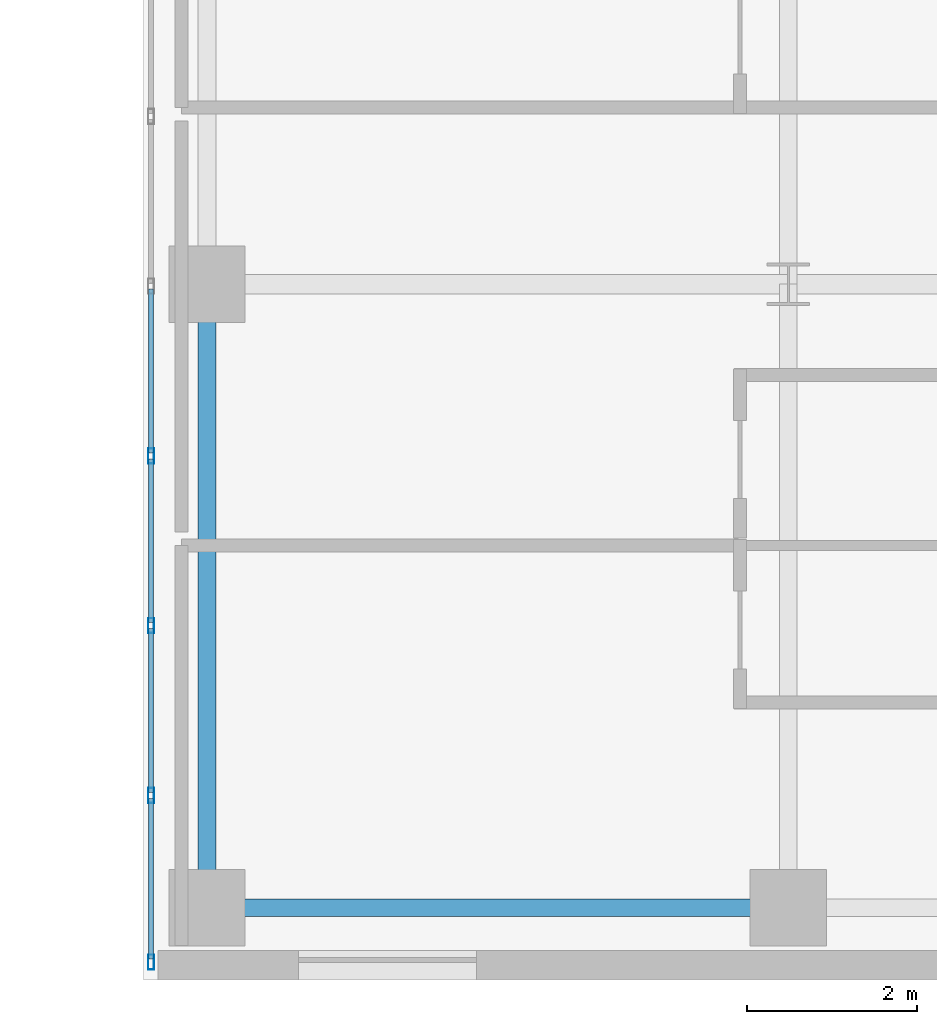
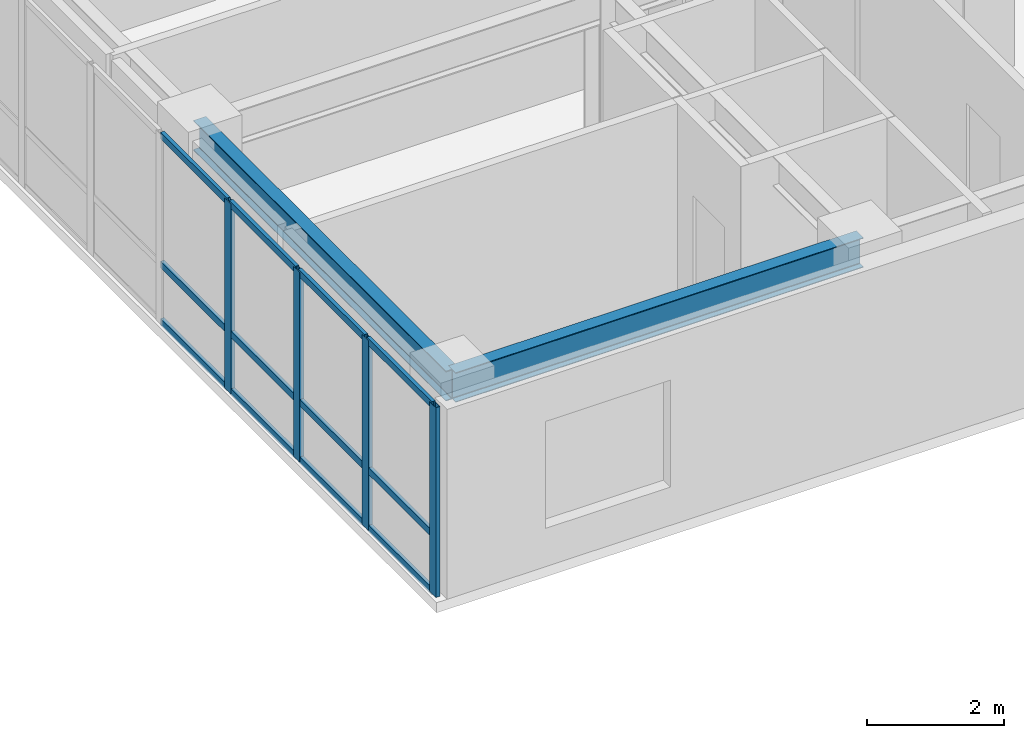
# One storey, part 5 of 16: 16 members, 2 beams, 1 element without a shape of its own.
"""IFC4 building model written with IfcOpenShell, lengths in metres."""

import ifcopenshell
import ifcopenshell.guid

model = None  # the IFC model being written
_history = None  # IfcOwnerHistory: only IFC2X3 demands one
_inside = {}  # id of a spatial element -> (the spatial element, [elements in it])
_under = {}  # id of a project, library or spatial element -> (it, [spatial elements below it])
_declared = {}  # id of a project -> (the project, [libraries it declares])
_typed = {}  # id of a type object -> (the type object, [elements of that type])
_made_of = {}  # id of a material, layer set ... -> (it, [elements and type objects made of it])


def new_model(schema):
    """Start an empty IFC model of exactly this schema.

    Asked for "IFC4X3", IfcOpenShell would pick the latest addendum, in which some entities
    have other attributes; the version numbers below select the first issue.
    IFC2X3 requires an IfcOwnerHistory on every rooted entity: one is made here for all.
    """
    global model, _history
    if schema == "IFC4X3":
        model = ifcopenshell.file(schema_version=(4, 3, 0, 0))
    else:
        model = ifcopenshell.file(schema=schema)
    _inside.clear()
    _under.clear()
    _declared.clear()
    _typed.clear()
    _made_of.clear()
    _history = None
    if model.schema == "IFC2X3":
        org = make("IfcOrganization", Name="unknown")
        user = make(
            "IfcPersonAndOrganization",
            ThePerson=make("IfcPerson", FamilyName="unknown"),
            TheOrganization=org,
        )
        app = make(
            "IfcApplication",
            ApplicationDeveloper=org,
            Version="unknown",
            ApplicationFullName="unknown",
            ApplicationIdentifier="unknown",
        )
        _history = make(
            "IfcOwnerHistory",
            OwningUser=user,
            OwningApplication=app,
            ChangeAction="ADDED",
            CreationDate=0,
        )
    return model


def make(cls, **values):
    """One entity of the class cls with the attributes given. An attribute that is None is left unset."""
    return model.create_entity(
        cls, **{name: value for name, value in values.items() if value is not None}
    )


def rooted(cls, **values):
    """An entity with a GlobalId (a new one), such as an element, a storey or a relation."""
    return make(cls, GlobalId=ifcopenshell.guid.new(), OwnerHistory=_history, **values)


def si_unit(unit_type, name, prefix=None):
    """IfcSIUnit, for example si_unit("LENGTHUNIT", "METRE", prefix="MILLI")."""
    return make("IfcSIUnit", UnitType=unit_type, Prefix=prefix, Name=name)


def assignment(units):
    """IfcUnitAssignment: the units of a project."""
    return None if units is None else make("IfcUnitAssignment", Units=units)


def point(xyz):
    """IfcCartesianPoint."""
    return None if xyz is None else make("IfcCartesianPoint", Coordinates=xyz)


def direction(xyz):
    """IfcDirection."""
    return None if xyz is None else make("IfcDirection", DirectionRatios=xyz)


def frame(location, z_axis=None, x_axis=None):
    """IfcAxis2Placement3D, a coordinate frame: its origin and axes. An axis left out is left unset."""
    return make(
        "IfcAxis2Placement3D",
        Location=point(location),
        Axis=direction(z_axis),
        RefDirection=direction(x_axis),
    )


def frame_2d(location, x_axis=None):
    """IfcAxis2Placement2D, a coordinate frame in the plane: its origin and x axis."""
    return make(
        "IfcAxis2Placement2D", Location=point(location), RefDirection=direction(x_axis)
    )


def origin():
    """The frame at (0, 0, 0) with its axes left unset."""
    return frame((0.0, 0.0, 0.0))


def origin_2d():
    """The frame at (0, 0) in the plane with its x axis left unset."""
    return frame_2d((0.0, 0.0))


def place(relative_to, where):
    """IfcLocalPlacement: puts the frame where relative to a parent placement (None: the world)."""
    return make(
        "IfcLocalPlacement", PlacementRelTo=relative_to, RelativePlacement=where
    )


def context(
    kind, dimensions, precision=None, world=None, true_north=None, identifier=None
):
    """IfcGeometricRepresentationContext, for example the 3D "Model" context."""
    return make(
        "IfcGeometricRepresentationContext",
        ContextIdentifier=identifier,
        ContextType=kind,
        CoordinateSpaceDimension=dimensions,
        Precision=precision,
        WorldCoordinateSystem=world,
        TrueNorth=true_north,
    )


def subcontext(parent, identifier, kind, view, scale=None):
    """IfcGeometricRepresentationSubContext, for example "Body" below "Model"."""
    return make(
        "IfcGeometricRepresentationSubContext",
        ContextIdentifier=identifier,
        ContextType=kind,
        ParentContext=parent,
        TargetScale=scale,
        TargetView=view,
    )


def project(units=None, contexts=None):
    """IfcProject with its units and contexts."""
    return rooted(
        "IfcProject",
        Name="project",
        RepresentationContexts=contexts,
        UnitsInContext=assignment(units),
    )


def spatial(cls, under=None, at=None, **own):
    """A site, building, storey or space (cls), placed at a placement, below another one or the project."""
    s = rooted(cls, ObjectPlacement=at, **own)
    if under is not None:
        _under.setdefault(under.id(), (under, []))[1].append(s)
    return s


def profile(cls, at=None, kind="AREA", **sizes):
    """A parametric profile (cls). Its sizes go by their IFC names, for example OverallWidth=200.0."""
    return make(cls, ProfileType=kind, Position=at, **sizes)


def hollow_rectangle(**sizes):
    """IfcRectangleHollowProfileDef."""
    return profile("IfcRectangleHollowProfileDef", **sizes)


def i_section(**sizes):
    """IfcIShapeProfileDef."""
    return profile("IfcIShapeProfileDef", **sizes)


def extrude(swept, where, along, depth):
    """IfcExtrudedAreaSolid: the profile swept, set in the frame where, extruded along a direction by depth."""
    return make(
        "IfcExtrudedAreaSolid",
        SweptArea=swept,
        Position=where,
        ExtrudedDirection=direction(along),
        Depth=depth,
    )


def shape(context_of_items, identifier, shape_type, items):
    """IfcShapeRepresentation: the items that make up one representation, for example the "Body"."""
    return make(
        "IfcShapeRepresentation",
        ContextOfItems=context_of_items,
        RepresentationIdentifier=identifier,
        RepresentationType=shape_type,
        Items=items,
    )


def source(mapping_origin, context_of_items, identifier, shape_type, items):
    """IfcRepresentationMap: a shape defined once, which mapped items show again and again."""
    return make(
        "IfcRepresentationMap",
        MappingOrigin=mapping_origin,
        MappedRepresentation=shape(context_of_items, identifier, shape_type, items),
    )


def transform(
    local_origin,
    x_axis=None,
    y_axis=None,
    z_axis=None,
    scale=None,
    scale2=None,
    scale3=None,
    uniform=True,
):
    """IfcCartesianTransformationOperator3D, or its non-uniform kind. x_axis, y_axis, z_axis: its Axis1, 2, 3."""
    if uniform:
        return make(
            "IfcCartesianTransformationOperator3D",
            Axis1=direction(x_axis),
            Axis2=direction(y_axis),
            LocalOrigin=point(local_origin),
            Scale=scale,
            Axis3=direction(z_axis),
        )
    return make(
        "IfcCartesianTransformationOperator3DnonUniform",
        Axis1=direction(x_axis),
        Axis2=direction(y_axis),
        LocalOrigin=point(local_origin),
        Scale=scale,
        Axis3=direction(z_axis),
        Scale2=scale2,
        Scale3=scale3,
    )


def mapped(mapping_source, mapping_target):
    """IfcMappedItem: shows the shape of a source again, moved by a transform."""
    return make(
        "IfcMappedItem", MappingSource=mapping_source, MappingTarget=mapping_target
    )


def material(Name=None, Category=None):
    """IfcMaterial."""
    return make("IfcMaterial", Name=Name, Category=Category)


def layer(
    of_material, thickness, ventilated=None, Name=None, Category=None, Priority=None
):
    """IfcMaterialLayer: one layer of a wall or slab, of a material (None: an air gap)."""
    return make(
        "IfcMaterialLayer",
        Material=of_material,
        LayerThickness=thickness,
        IsVentilated=ventilated,
        Name=Name,
        Category=Category,
        Priority=Priority,
    )


def layer_set(layers, Name=None):
    """IfcMaterialLayerSet."""
    return make("IfcMaterialLayerSet", MaterialLayers=layers, LayerSetName=Name)


def material_profile(
    of_material, cross_section, Name=None, Category=None, Priority=None
):
    """IfcMaterialProfile: a cross section and its material."""
    return make(
        "IfcMaterialProfile",
        Name=Name,
        Material=of_material,
        Profile=cross_section,
        Priority=Priority,
        Category=Category,
    )


def profile_set(profiles, Name=None, composite=None):
    """IfcMaterialProfileSet."""
    return make(
        "IfcMaterialProfileSet",
        Name=Name,
        MaterialProfiles=profiles,
        CompositeProfile=composite,
    )


def made_of(thing, what):
    """Note that an element or type object is made of a material, layer set ...; save() writes the relation."""
    if what is not None:
        _made_of.setdefault(what.id(), (what, []))[1].append(thing)
    return thing


def type_object(cls, material=None, **own):
    """A type object (cls), such as IfcWallType, which elements share."""
    return made_of(rooted(cls, **own), material)


def type_shapes(of_type, sources):
    """Give a type object the sources (RepresentationMaps) that its elements show as mapped items."""
    of_type.RepresentationMaps = sources


def element(
    cls,
    number,
    at=None,
    inside=None,
    cuts=None,
    type_object=None,
    material=None,
    context=None,
    identifier="Body",
    shape_type=None,
    held_by="IfcProductDefinitionShape",
    body=None,
    shapes=None,
    **own,
):
    """One element of the class cls, such as IfcWall. Its Tag is "e" and its number.

    at: its placement. inside: the storey or other place that contains it. cuts: it is an
    opening in that element (IfcRelVoidsElement). A single representation is given by context,
    identifier, shape_type and body (its items); several are given by shapes. held_by: the class
    of the entity that holds the representations. save() writes the other relations.
    """
    e = rooted(cls, Tag="e%d" % number, ObjectPlacement=at, **own)
    if body is not None:
        shapes = [shape(context, identifier, shape_type, body)]
    if shapes is not None:
        e.Representation = make(held_by, Representations=shapes)
    if inside is not None:
        _inside.setdefault(inside.id(), (inside, []))[1].append(e)
    if cuts is not None:
        rooted(
            "IfcRelVoidsElement", RelatingBuildingElement=cuts, RelatedOpeningElement=e
        )
    if type_object is not None:
        _typed.setdefault(type_object.id(), (type_object, []))[1].append(e)
    return made_of(e, material)


def aggregate(whole, parts):
    """IfcRelAggregates: a whole, such as a stair, and the parts it consists of."""
    return rooted("IfcRelAggregates", RelatingObject=whole, RelatedObjects=parts)


def save(model, path):
    """Write the relations noted so far, then the file.

    IfcRelAggregates (storeys below a building ...), IfcRelContainedInSpatialStructure (elements
    in a storey), IfcRelDefinesByType, IfcRelAssociatesMaterial and IfcRelDeclares: one each for
    every whole, place, type object, material and project.
    """
    for whole, parts in _under.values():
        aggregate(whole, parts)
    for where, things in _inside.values():
        rooted(
            "IfcRelContainedInSpatialStructure",
            RelatedElements=things,
            RelatingStructure=where,
        )
    for kind, things in _typed.values():
        rooted("IfcRelDefinesByType", RelatedObjects=things, RelatingType=kind)
    for what, things in _made_of.values():
        rooted("IfcRelAssociatesMaterial", RelatedObjects=things, RelatingMaterial=what)
    for by, libraries in _declared.values():
        rooted("IfcRelDeclares", RelatingContext=by, RelatedDefinitions=libraries)
    model.write(path)


model = new_model("IFC4")

# Units and contexts
model_context = context("Model", 3, precision=1e-05, world=origin(), true_north=direction((0.0, 1.0)))
body_context = subcontext(model_context, "Body", "Model", "MODEL_VIEW")
ifc_project = project(units=[si_unit("LENGTHUNIT", "METRE"), si_unit("AREAUNIT", "SQUARE_METRE"), si_unit("VOLUMEUNIT", "CUBIC_METRE"), si_unit("PLANEANGLEUNIT", "RADIAN"), si_unit("MASSUNIT", "GRAM", prefix="KILO")], contexts=[model_context])

# Site, building, storey
site_placement = place(None, origin())
site = spatial("IfcSite", under=ifc_project, at=site_placement, CompositionType="ELEMENT")
building_placement = place(site_placement, origin())
building = spatial("IfcBuilding", under=site, at=building_placement, Name="Tolvann Quenvar Hotel", CompositionType="ELEMENT")
storey_placement = place(building_placement, frame((0.0, 0.0, 85.25)))
storey = spatial("IfcBuildingStorey", under=building, at=storey_placement, Name="L21", CompositionType="ELEMENT", Elevation=85.25)

# Beams
ifc_material_1 = material(Name="Steel Grade 350", Category="steel")
ifc_material_profile_1 = material_profile(ifc_material_1, i_section(OverallWidth=0.208984375, OverallDepth=0.528076171875, WebThickness=0.009521484375, FlangeThickness=0.01318359375, FilletRadius=0.013916015625, at=origin_2d()), Name="530UB82")
ifc_profile_set_1 = profile_set([ifc_material_profile_1], Name="Steel Grade 350")
beam_type_1 = type_object("IfcBeamType", Name="BM_SPAND_530UB82", PredefinedType="SPANDREL", material=ifc_profile_set_1)
shared_shape_1 = source(origin(), body_context, "Body", "SweptSolid", [
    extrude(i_section(OverallWidth=0.208984375, OverallDepth=0.528076171875, WebThickness=0.009521484375, FlangeThickness=0.01318359375, FilletRadius=0.013916015625, at=origin_2d()), origin(), (0.0, 0.0, 1.0), 6.85009765625),
])
type_shapes(beam_type_1, [shared_shape_1])
beam_1_placement = place(storey_placement, frame((34.949951171875, 0.85009765625, 3.10595703125), z_axis=(1.0, 0.0, 0.0), x_axis=(0.0, 1.0, 0.0)))
element("IfcBeam", 1, at=beam_1_placement, inside=storey, type_object=beam_type_1, Name="BM-L21-EW-2-F2-H2", PredefinedType="SPANDREL", context=body_context, shape_type="MappedRepresentation", body=[
    mapped(shared_shape_1, transform((0.0, 0.0, 0.0), x_axis=(1.0, 0.0, 0.0), y_axis=(0.0, 1.0, 0.0), z_axis=(0.0, 0.0, 1.0), scale=1.0)),
])
ifc_material_profile_2 = material_profile(ifc_material_1, i_section(OverallWidth=0.208984375, OverallDepth=0.532958984375, WebThickness=0.01025390625, FlangeThickness=0.015625, FilletRadius=0.013916015625, at=origin_2d()), Name="530UB92")
ifc_profile_set_2 = profile_set([ifc_material_profile_2], Name="Steel Grade 350")
beam_type_2 = type_object("IfcBeamType", Name="BM_GIRD_530UB92", PredefinedType="BEAM", material=ifc_profile_set_2)
shared_shape_2 = source(origin(), body_context, "Body", "SweptSolid", [
    extrude(i_section(OverallWidth=0.208984375, OverallDepth=0.532958984375, WebThickness=0.01025390625, FlangeThickness=0.015625, FilletRadius=0.013916015625, at=origin_2d()), origin(), (0.0, 0.0, 1.0), 7.349853515625),
])
type_shapes(beam_type_2, [shared_shape_2])
beam_2_placement = place(storey_placement, frame((34.949951171875, 0.85009765625, 3.103515625), z_axis=(0.0, 1.0, 0.0), x_axis=(-1.0, 0.0, 0.0)))
element("IfcBeam", 2, at=beam_2_placement, inside=storey, type_object=beam_type_2, Name="BM-L21-NS-F2-F3", PredefinedType="BEAM", context=body_context, shape_type="MappedRepresentation", body=[
    mapped(shared_shape_2, transform((0.0, 0.0, 0.0), x_axis=(1.0, 0.0, 0.0), y_axis=(0.0, 1.0, 0.0), z_axis=(0.0, 0.0, 1.0), scale=1.0)),
])

# Curtain wall, members
ifc_material_2 = material(Name="Thermally broken anodised architectural aluminium 6063-T6 and laminated low-E glass", Category="aluminium")
ifc_layer = layer(ifc_material_2, 0.179931640625)
ifc_layer_set = layer_set([ifc_layer], Name="Thermally broken anodised architectural aluminium 6063-T6 and laminated low-E glass")
curtain_wall_type = type_object("IfcCurtainWallType", Name="CW_SYS_SLOT_03", PredefinedType="USERDEFINED", material=ifc_layer_set)
curtain_wall_placement = place(storey_placement, origin())
curtain_wall = element("IfcCurtainWall", 3, at=curtain_wall_placement, inside=storey, type_object=curtain_wall_type, Name="Curtain Wall CW-SLOT-03 (CWR-L21-E07)", ObjectType="UNITISED CURTAIN WALL", PredefinedType="USERDEFINED")
ifc_material_3 = material(Name="Anodised architectural aluminium 6063-T6 framing", Category="aluminium")
ifc_material_profile_3 = material_profile(ifc_material_3, hollow_rectangle(XDim=0.070068359375, YDim=0.179931640625, WallThickness=0.00390625, at=origin_2d()), Name="180x70x4RHS")
ifc_profile_set_3 = profile_set([ifc_material_profile_3], Name="Anodised architectural aluminium 6063-T6 framing")
member_type_1 = type_object("IfcMemberType", Name="CW_MULL_180x70", PredefinedType="MULLION", material=ifc_profile_set_3)
shared_shape_3 = source(origin(), body_context, "Body", "SweptSolid", [
    extrude(hollow_rectangle(XDim=0.070068359375, YDim=0.179931640625, WallThickness=0.00390625, at=origin_2d()), origin(), (0.0, 0.0, 1.0), 3.3701171875),
])
type_shapes(member_type_1, [shared_shape_3])
member_1_placement = place(storey_placement, frame((34.2900390625, 6.175048828125, 0.0), z_axis=(0.0, 0.0, 1.0), x_axis=(1.0, 0.0, 0.0)))
member_1 = element("IfcMember", 4, at=member_1_placement, type_object=member_type_1, Name="CW-SLOT-03 mullion 6", PredefinedType="MULLION", context=body_context, shape_type="MappedRepresentation", body=[
    mapped(shared_shape_3, transform((0.0, 0.0, 0.0), x_axis=(1.0, 0.0, 0.0), y_axis=(0.0, 1.0, 0.0), z_axis=(0.0, 0.0, 1.0), scale=1.0)),
])
member_2_placement = place(storey_placement, frame((34.2900390625, 4.175048828125, 0.0), z_axis=(0.0, 0.0, 1.0), x_axis=(1.0, 0.0, 0.0)))
member_2 = element("IfcMember", 5, at=member_2_placement, type_object=member_type_1, Name="CW-SLOT-03 mullion 7", PredefinedType="MULLION", context=body_context, shape_type="MappedRepresentation", body=[
    mapped(shared_shape_3, transform((0.0, 0.0, 0.0), x_axis=(1.0, 0.0, 0.0), y_axis=(0.0, 1.0, 0.0), z_axis=(0.0, 0.0, 1.0), scale=1.0)),
])
member_3_placement = place(storey_placement, frame((34.2900390625, 2.175048828125, 0.0), z_axis=(0.0, 0.0, 1.0), x_axis=(1.0, 0.0, 0.0)))
member_3 = element("IfcMember", 6, at=member_3_placement, type_object=member_type_1, Name="CW-SLOT-03 mullion 8", PredefinedType="MULLION", context=body_context, shape_type="MappedRepresentation", body=[
    mapped(shared_shape_3, transform((0.0, 0.0, 0.0), x_axis=(1.0, 0.0, 0.0), y_axis=(0.0, 1.0, 0.0), z_axis=(0.0, 0.0, 1.0), scale=1.0)),
])
member_4_placement = place(storey_placement, frame((34.2900390625, 0.2099609375, 0.0), z_axis=(0.0, 0.0, 1.0), x_axis=(1.0, 0.0, 0.0)))
member_4 = element("IfcMember", 7, at=member_4_placement, type_object=member_type_1, Name="CW-SLOT-03 mullion 9", PredefinedType="MULLION", context=body_context, shape_type="MappedRepresentation", body=[
    mapped(shared_shape_3, transform((0.0, 0.0, 0.0), x_axis=(1.0, 0.0, 0.0), y_axis=(0.0, 1.0, 0.0), z_axis=(0.0, 0.0, 1.0), scale=1.0)),
])
ifc_material_profile_4 = material_profile(ifc_material_3, hollow_rectangle(XDim=0.06005859375, YDim=0.1201171875, WallThickness=0.00341796875, at=origin_2d()), Name="120x60x3.5RHS")
ifc_profile_set_4 = profile_set([ifc_material_profile_4], Name="Anodised architectural aluminium 6063-T6 framing")
member_type_2 = type_object("IfcMemberType", Name="CW_TRAN_120x60", PredefinedType="USERDEFINED", material=ifc_profile_set_4)
shared_shape_4 = source(origin(), body_context, "Body", "SweptSolid", [
    extrude(hollow_rectangle(XDim=0.06005859375, YDim=0.1201171875, WallThickness=0.00341796875, at=origin_2d()), origin(), (0.0, 0.0, 1.0), 1.894775390625),
])
member_5_placement = place(storey_placement, frame((34.2900390625, 2.139892578125, 0.030029296875), z_axis=(0.0, -1.0, 0.0), x_axis=(1.0, 0.0, 0.0)))
member_5 = element("IfcMember", 8, at=member_5_placement, type_object=member_type_2, Name="CW-SLOT-03 transom 8.1", ObjectType="TRANSOM", PredefinedType="USERDEFINED", context=body_context, shape_type="MappedRepresentation", body=[
    mapped(shared_shape_4, transform((0.0, 0.0, 0.0), x_axis=(1.0, 0.0, 0.0), y_axis=(0.0, 1.0, 0.0), z_axis=(0.0, 0.0, 1.0), scale=1.0)),
])
member_6_placement = place(storey_placement, frame((34.2900390625, 2.139892578125, 1.050048828125), z_axis=(0.0, -1.0, 0.0), x_axis=(1.0, 0.0, 0.0)))
member_6 = element("IfcMember", 9, at=member_6_placement, type_object=member_type_2, Name="CW-SLOT-03 transom 8.2", ObjectType="TRANSOM", PredefinedType="USERDEFINED", context=body_context, shape_type="MappedRepresentation", body=[
    mapped(shared_shape_4, transform((0.0, 0.0, 0.0), x_axis=(1.0, 0.0, 0.0), y_axis=(0.0, 1.0, 0.0), z_axis=(0.0, 0.0, 1.0), scale=1.0)),
])
member_7_placement = place(storey_placement, frame((34.2900390625, 2.139892578125, 3.340087890625), z_axis=(0.0, -1.0, 0.0), x_axis=(1.0, 0.0, 0.0)))
member_7 = element("IfcMember", 10, at=member_7_placement, type_object=member_type_2, Name="CW-SLOT-03 transom 8.3", ObjectType="TRANSOM", PredefinedType="USERDEFINED", context=body_context, shape_type="MappedRepresentation", body=[
    mapped(shared_shape_4, transform((0.0, 0.0, 0.0), x_axis=(1.0, 0.0, 0.0), y_axis=(0.0, 1.0, 0.0), z_axis=(0.0, 0.0, 1.0), scale=1.0)),
])
shared_shape_5 = source(origin(), body_context, "Body", "SweptSolid", [
    extrude(hollow_rectangle(XDim=0.06005859375, YDim=0.1201171875, WallThickness=0.00341796875, at=origin_2d()), origin(), (0.0, 0.0, 1.0), 1.929931640625),
])
type_shapes(member_type_2, [shared_shape_4, shared_shape_5])
member_8_placement = place(storey_placement, frame((34.2900390625, 8.139892578125, 0.030029296875), z_axis=(0.0, -1.0, 0.0), x_axis=(1.0, 0.0, 0.0)))
member_8 = element("IfcMember", 11, at=member_8_placement, type_object=member_type_2, Name="CW-SLOT-03 transom 5.1", ObjectType="TRANSOM", PredefinedType="USERDEFINED", context=body_context, shape_type="MappedRepresentation", body=[
    mapped(shared_shape_5, transform((0.0, 0.0, 0.0), x_axis=(1.0, 0.0, 0.0), y_axis=(0.0, 1.0, 0.0), z_axis=(0.0, 0.0, 1.0), scale=1.0)),
])
member_9_placement = place(storey_placement, frame((34.2900390625, 8.139892578125, 1.050048828125), z_axis=(0.0, -1.0, 0.0), x_axis=(1.0, 0.0, 0.0)))
member_9 = element("IfcMember", 12, at=member_9_placement, type_object=member_type_2, Name="CW-SLOT-03 transom 5.2", ObjectType="TRANSOM", PredefinedType="USERDEFINED", context=body_context, shape_type="MappedRepresentation", body=[
    mapped(shared_shape_5, transform((0.0, 0.0, 0.0), x_axis=(1.0, 0.0, 0.0), y_axis=(0.0, 1.0, 0.0), z_axis=(0.0, 0.0, 1.0), scale=1.0)),
])
member_10_placement = place(storey_placement, frame((34.2900390625, 8.139892578125, 3.340087890625), z_axis=(0.0, -1.0, 0.0), x_axis=(1.0, 0.0, 0.0)))
member_10 = element("IfcMember", 13, at=member_10_placement, type_object=member_type_2, Name="CW-SLOT-03 transom 5.3", ObjectType="TRANSOM", PredefinedType="USERDEFINED", context=body_context, shape_type="MappedRepresentation", body=[
    mapped(shared_shape_5, transform((0.0, 0.0, 0.0), x_axis=(1.0, 0.0, 0.0), y_axis=(0.0, 1.0, 0.0), z_axis=(0.0, 0.0, 1.0), scale=1.0)),
])
member_11_placement = place(storey_placement, frame((34.2900390625, 6.139892578125, 0.030029296875), z_axis=(0.0, -1.0, 0.0), x_axis=(1.0, 0.0, 0.0)))
member_11 = element("IfcMember", 14, at=member_11_placement, type_object=member_type_2, Name="CW-SLOT-03 transom 6.1", ObjectType="TRANSOM", PredefinedType="USERDEFINED", context=body_context, shape_type="MappedRepresentation", body=[
    mapped(shared_shape_5, transform((0.0, 0.0, 0.0), x_axis=(1.0, 0.0, 0.0), y_axis=(0.0, 1.0, 0.0), z_axis=(0.0, 0.0, 1.0), scale=1.0)),
])
member_12_placement = place(storey_placement, frame((34.2900390625, 6.139892578125, 1.050048828125), z_axis=(0.0, -1.0, 0.0), x_axis=(1.0, 0.0, 0.0)))
member_12 = element("IfcMember", 15, at=member_12_placement, type_object=member_type_2, Name="CW-SLOT-03 transom 6.2", ObjectType="TRANSOM", PredefinedType="USERDEFINED", context=body_context, shape_type="MappedRepresentation", body=[
    mapped(shared_shape_5, transform((0.0, 0.0, 0.0), x_axis=(1.0, 0.0, 0.0), y_axis=(0.0, 1.0, 0.0), z_axis=(0.0, 0.0, 1.0), scale=1.0)),
])
member_13_placement = place(storey_placement, frame((34.2900390625, 6.139892578125, 3.340087890625), z_axis=(0.0, -1.0, 0.0), x_axis=(1.0, 0.0, 0.0)))
member_13 = element("IfcMember", 16, at=member_13_placement, type_object=member_type_2, Name="CW-SLOT-03 transom 6.3", ObjectType="TRANSOM", PredefinedType="USERDEFINED", context=body_context, shape_type="MappedRepresentation", body=[
    mapped(shared_shape_5, transform((0.0, 0.0, 0.0), x_axis=(1.0, 0.0, 0.0), y_axis=(0.0, 1.0, 0.0), z_axis=(0.0, 0.0, 1.0), scale=1.0)),
])
member_14_placement = place(storey_placement, frame((34.2900390625, 4.139892578125, 0.030029296875), z_axis=(0.0, -1.0, 0.0), x_axis=(1.0, 0.0, 0.0)))
member_14 = element("IfcMember", 17, at=member_14_placement, type_object=member_type_2, Name="CW-SLOT-03 transom 7.1", ObjectType="TRANSOM", PredefinedType="USERDEFINED", context=body_context, shape_type="MappedRepresentation", body=[
    mapped(shared_shape_5, transform((0.0, 0.0, 0.0), x_axis=(1.0, 0.0, 0.0), y_axis=(0.0, 1.0, 0.0), z_axis=(0.0, 0.0, 1.0), scale=1.0)),
])
member_15_placement = place(storey_placement, frame((34.2900390625, 4.139892578125, 1.050048828125), z_axis=(0.0, -1.0, 0.0), x_axis=(1.0, 0.0, 0.0)))
member_15 = element("IfcMember", 18, at=member_15_placement, type_object=member_type_2, Name="CW-SLOT-03 transom 7.2", ObjectType="TRANSOM", PredefinedType="USERDEFINED", context=body_context, shape_type="MappedRepresentation", body=[
    mapped(shared_shape_5, transform((0.0, 0.0, 0.0), x_axis=(1.0, 0.0, 0.0), y_axis=(0.0, 1.0, 0.0), z_axis=(0.0, 0.0, 1.0), scale=1.0)),
])
member_16_placement = place(storey_placement, frame((34.2900390625, 4.139892578125, 3.340087890625), z_axis=(0.0, -1.0, 0.0), x_axis=(1.0, 0.0, 0.0)))
member_16 = element("IfcMember", 19, at=member_16_placement, type_object=member_type_2, Name="CW-SLOT-03 transom 7.3", ObjectType="TRANSOM", PredefinedType="USERDEFINED", context=body_context, shape_type="MappedRepresentation", body=[
    mapped(shared_shape_5, transform((0.0, 0.0, 0.0), x_axis=(1.0, 0.0, 0.0), y_axis=(0.0, 1.0, 0.0), z_axis=(0.0, 0.0, 1.0), scale=1.0)),
])
aggregate(curtain_wall, [member_1, member_2, member_3, member_4, member_8, member_9, member_10, member_11, member_12, member_13, member_14, member_15, member_16, member_5, member_6, member_7])

save(model, "model.ifc")
